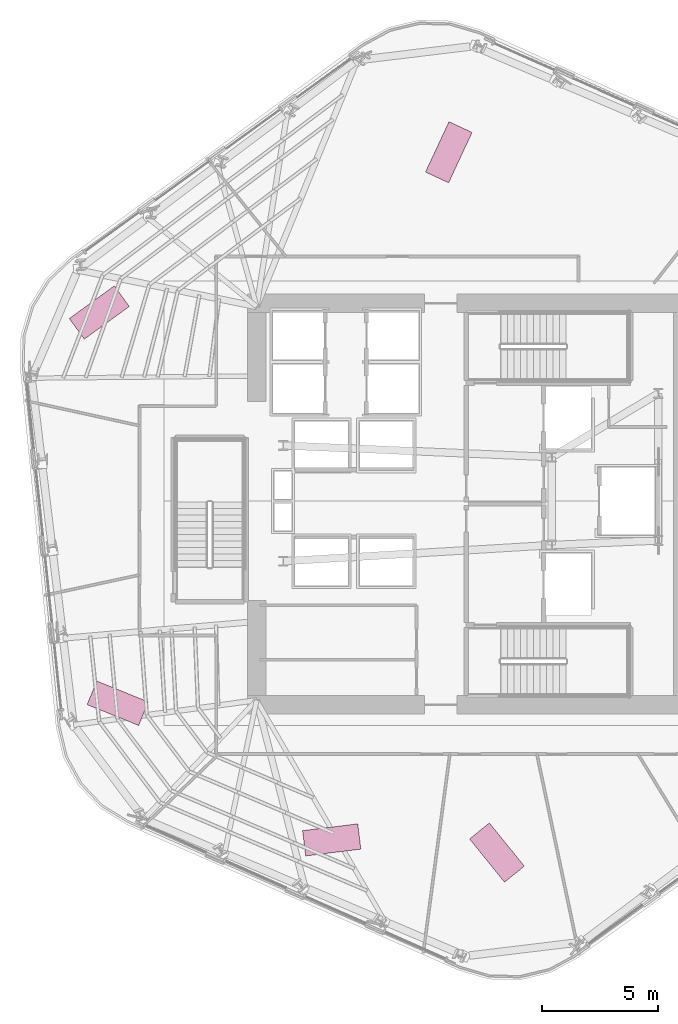
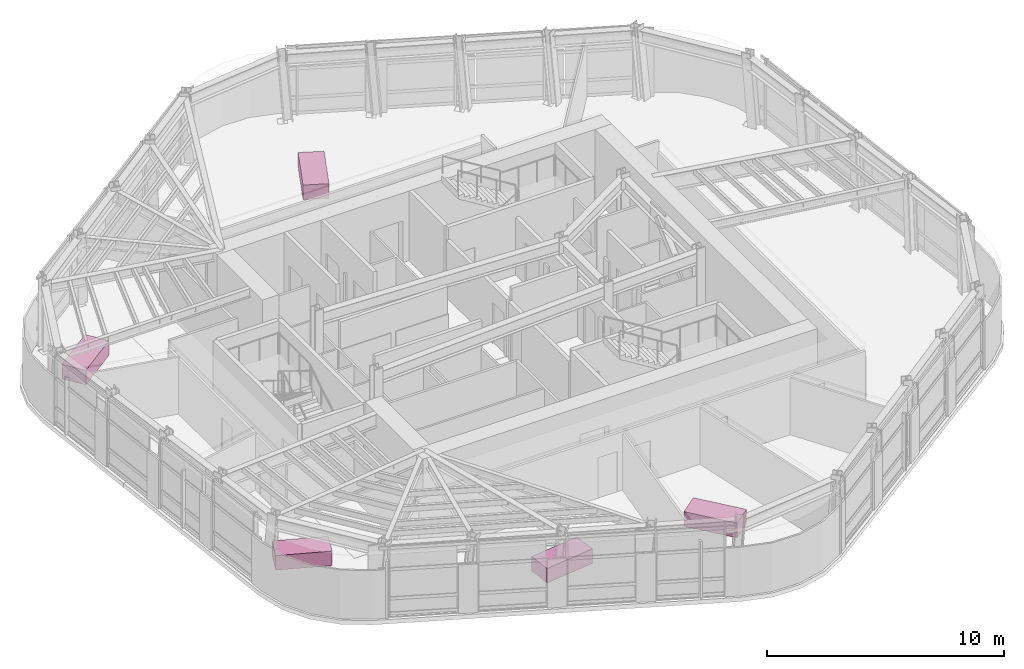
# One storey, part 14 of 14: 5 furniture elements.
"""IFC4 building model written with IfcOpenShell, lengths in metres."""

from ifc_helpers import new_model, si_unit, direction, frame, origin, origin_2d, place, context, subcontext, project, spatial, rectangle, extrude, material, type_object, element, save


model = new_model("IFC4")

# Units and contexts
model_context = context("Model", 3, precision=1e-05, world=origin(), true_north=direction((0.0, 1.0)))
body_context = subcontext(model_context, "Body", "Model", "MODEL_VIEW")
ifc_project = project(units=[si_unit("LENGTHUNIT", "METRE"), si_unit("AREAUNIT", "SQUARE_METRE"), si_unit("VOLUMEUNIT", "CUBIC_METRE"), si_unit("PLANEANGLEUNIT", "RADIAN"), si_unit("MASSUNIT", "GRAM", prefix="KILO")], contexts=[model_context])

# Site, building, storey
site_placement = place(None, origin())
site = spatial("IfcSite", under=ifc_project, at=site_placement, CompositionType="ELEMENT")
building_placement = place(site_placement, origin())
building = spatial("IfcBuilding", under=site, at=building_placement, Name="Valkerne Bourse Tower", CompositionType="ELEMENT")
storey_placement = place(building_placement, frame((0.0, 0.0, 178.0)))
storey = spatial("IfcBuildingStorey", under=building, at=storey_placement, Name="L45", CompositionType="ELEMENT", Elevation=178.0)

# Furniture
ifc_material = material(Name="Architectural White Oak Timber", Category="wood")
furniture_type = type_object("IfcFurnitureType", Name="FURN-DESK-2400", AssemblyPlace="NOTDEFINED", PredefinedType="DESK", material=ifc_material)
for number, where, z_axis, x_axis, name in (
    (1, (47.97705078125, 11.821044921875, 0.044921875), (0.0, 0.0, 1.0), (-0.62932039105, 0.777145961457, 0.0), "L45 Suite Worktable 06"),
    (2, (31.60009765625, 18.27001953125, 0.044921875), (0.0, 0.0, 1.0), (-0.927183854567, 0.374606593416, 0.0), "L45 Suite Worktable 07"),
    (3, (40.842041015625, 12.367919921875, 0.044921875), (0.0, 0.0, 1.0), (0.992546151641, 0.121869343405, 0.0), "L45 Suite Worktable 08"),
    (4, (30.804931640625, 35.14208984375, 0.044921875), (0.0, 0.0, 1.0), (0.809016994375, 0.587785252292, 0.0), "L45 Suite Worktable 09"),
    (5, (45.89794921875, 42.06396484375, 0.044921875), (0.0, 0.0, 1.0), (0.422618261741, 0.906307787037, 0.0), "L45 Suite Worktable 10"),
):
    element("IfcFurniture", number, at=place(storey_placement, frame(where, z_axis=z_axis, x_axis=x_axis)), inside=storey, type_object=furniture_type, Name=name, PredefinedType="DESK", context=body_context, shape_type="SweptSolid", body=[
        extrude(rectangle(XDim=2.39990234375, YDim=1.10009765625, at=origin_2d()), origin(), (0.0, 0.0, 1.0), 0.75),
    ])

save(model, "model.ifc")
